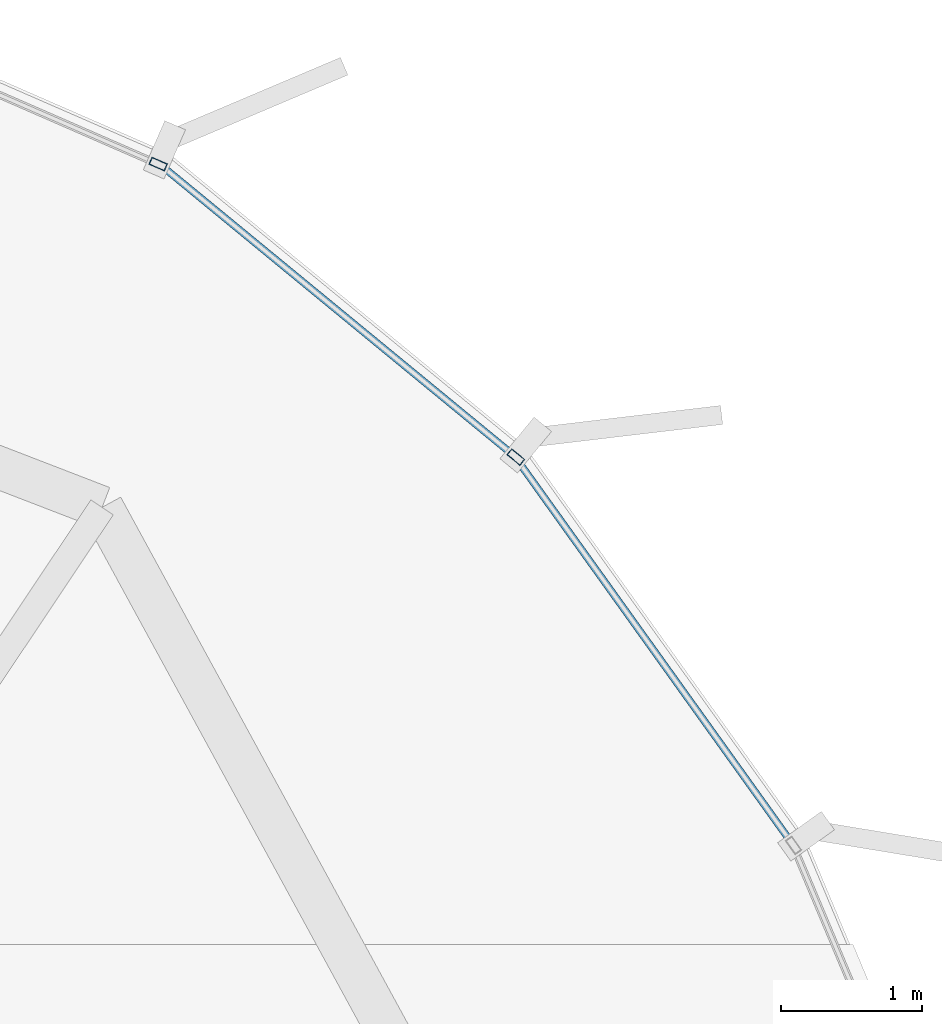
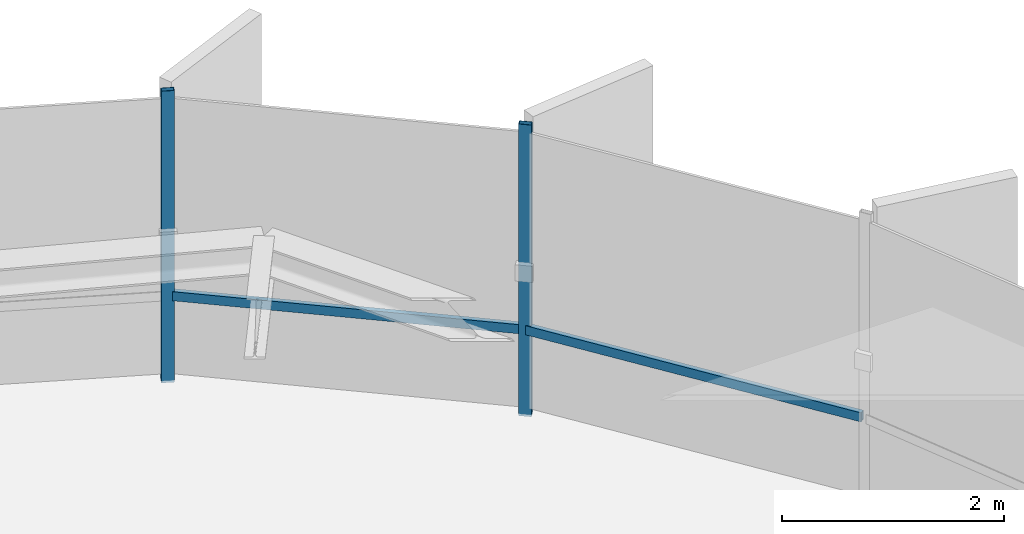
# One storey, part 23 of 31: 4 members, 2 elements without a shape of their own.
"""IFC4 building model written with IfcOpenShell, lengths in metres."""

from ifc_helpers import new_model, si_unit, direction, frame, origin, origin_2d, place, context, subcontext, project, spatial, hollow_rectangle, extrude, source, transform, mapped, material, layer, layer_set, material_profile, profile_set, type_object, element, aggregate, save


model = new_model("IFC4")

# Units and contexts
model_context = context("Model", 3, precision=1e-05, world=origin(), true_north=direction((0.0, 1.0)))
body_context = subcontext(model_context, "Body", "Model", "MODEL_VIEW")
ifc_project = project(units=[si_unit("LENGTHUNIT", "METRE"), si_unit("AREAUNIT", "SQUARE_METRE"), si_unit("VOLUMEUNIT", "CUBIC_METRE"), si_unit("PLANEANGLEUNIT", "RADIAN"), si_unit("MASSUNIT", "GRAM", prefix="KILO"), si_unit("THERMODYNAMICTEMPERATUREUNIT", "KELVIN")], contexts=[model_context])

# Site, building, storey
site_placement = place(None, origin())
site = spatial("IfcSite", under=ifc_project, at=site_placement, CompositionType="ELEMENT")
building_placement = place(site_placement, origin())
building = spatial("IfcBuilding", under=site, at=building_placement, Name="Kethvar Cultural Tower", CompositionType="ELEMENT")
storey_placement = place(building_placement, frame((0.0, 0.0, 269.800048828125)))
storey = spatial("IfcBuildingStorey", under=building, at=storey_placement, Name="L71", CompositionType="ELEMENT", Elevation=269.800048828125)

# Curtain wall, member
ifc_material = material(Name="Aluminium 6063-T6", Category="aluminium")
ifc_layer = layer(ifc_material, 0.179931640625, Name="Aluminium 6063-T6", Category="aluminium")
ifc_layer_set = layer_set([ifc_layer], Name="Aluminium 6063-T6 (180 mm)")
curtain_wall_type = type_object("IfcCurtainWallType", Name="CW-SYS-05-Z56", PredefinedType="NOTDEFINED", material=ifc_layer_set)
curtain_wall_1_placement = place(storey_placement, origin())
curtain_wall_1 = element("IfcCurtainWall", 1, at=curtain_wall_1_placement, inside=storey, type_object=curtain_wall_type, Name="L71 Curtain Wall Run 01", PredefinedType="NOTDEFINED")
ifc_material_profile_1 = material_profile(ifc_material, hollow_rectangle(XDim=0.054931640625, YDim=0.1201171875, WallThickness=0.00390625, at=origin_2d()), Name="Aluminium 6063-T6 — RHS120x55x4")
ifc_profile_set_1 = profile_set([ifc_material_profile_1], Name="Aluminium 6063-T6 — RHS120x55x4")
member_type_1 = type_object("IfcMemberType", Name="CW-SYS-05-Z56-MUL", PredefinedType="MULLION", material=ifc_profile_set_1)
shared_shape_1 = source(origin(), body_context, "Body", "SweptSolid", [
    extrude(hollow_rectangle(XDim=0.054931640625, YDim=0.1201171875, WallThickness=0.00390625, at=origin_2d()), origin(), (0.0, 0.0, 1.0), 3.2099609375),
])
member_1_placement = place(storey_placement, frame((60.0498046875, 49.462890625, 0.0), z_axis=(0.0, 0.0, 1.0), x_axis=(-0.399901165459, -0.916558267577, 0.0)))
member_1 = element("IfcMember", 2, at=member_1_placement, type_object=member_type_1, Name="CW-L71-R01 Mullion 1", PredefinedType="MULLION", context=body_context, shape_type="MappedRepresentation", body=[
    mapped(shared_shape_1, transform((0.0, 0.0, 0.0), scale=1.0)),
])
aggregate(curtain_wall_1, [member_1])

# Curtain wall, members
curtain_wall_2_placement = place(storey_placement, origin())
curtain_wall_2 = element("IfcCurtainWall", 3, at=curtain_wall_2_placement, inside=storey, type_object=curtain_wall_type, Name="L71 Curtain Wall Run 06", PredefinedType="NOTDEFINED")
member_2_placement = place(storey_placement, frame((62.578857421875, 47.39111328125, 0.0), z_axis=(0.0, 0.0, 1.0), x_axis=(-0.63512154749, -0.772412208548, 0.0)))
member_2 = element("IfcMember", 4, at=member_2_placement, type_object=member_type_1, Name="CW-L71-R06 Mullion 6", PredefinedType="MULLION", context=body_context, shape_type="MappedRepresentation", body=[
    mapped(shared_shape_1, transform((0.0, 0.0, 0.0), scale=1.0)),
])
ifc_material_profile_2 = material_profile(ifc_material, hollow_rectangle(XDim=0.050048828125, YDim=0.10009765625, WallThickness=0.00390625, at=origin_2d()), Name="Aluminium 6063-T6 — RHS100x50x4")
ifc_profile_set_2 = profile_set([ifc_material_profile_2], Name="Aluminium 6063-T6 — RHS100x50x4")
member_type_2 = type_object("IfcMemberType", Name="CW-SYS-05-Z56-TRN", PredefinedType="USERDEFINED", material=ifc_profile_set_2)
shared_shape_2 = source(origin(), body_context, "Body", "SweptSolid", [
    extrude(hollow_rectangle(XDim=0.050048828125, YDim=0.10009765625, WallThickness=0.00390625, at=origin_2d()), origin(), (0.0, 0.0, 1.0), 3.321044921875),
])
member_3_placement = place(storey_placement, frame((64.518310546875, 44.67822265625, 0.949951171875), z_axis=(-0.582426661223, 0.812883253793, 0.0), x_axis=(-0.812883253793, -0.582426661223, 0.0)))
member_3 = element("IfcMember", 5, at=member_3_placement, type_object=member_type_2, Name="CW-L71-R06 Transom 5", ObjectType="TRANSOM", PredefinedType="USERDEFINED", context=body_context, shape_type="MappedRepresentation", body=[
    mapped(shared_shape_2, transform((0.0, 0.0, 0.0), scale=1.0)),
])
shared_shape_3 = source(origin(), body_context, "Body", "SweptSolid", [
    extrude(hollow_rectangle(XDim=0.050048828125, YDim=0.10009765625, WallThickness=0.00390625, at=origin_2d()), origin(), (0.0, 0.0, 1.0), 3.18310546875),
])
member_4_placement = place(storey_placement, frame((62.548095703125, 47.416259765625, 0.949951171875), z_axis=(-0.772379494979, 0.635161330479, 0.0), x_axis=(-0.635161330479, -0.772379494979, 0.0)))
member_4 = element("IfcMember", 6, at=member_4_placement, type_object=member_type_2, Name="CW-L71-R06 Transom 6", ObjectType="TRANSOM", PredefinedType="USERDEFINED", context=body_context, shape_type="MappedRepresentation", body=[
    mapped(shared_shape_3, transform((0.0, 0.0, 0.0), scale=1.0)),
])
aggregate(curtain_wall_2, [member_2, member_3, member_4])

save(model, "model.ifc")
